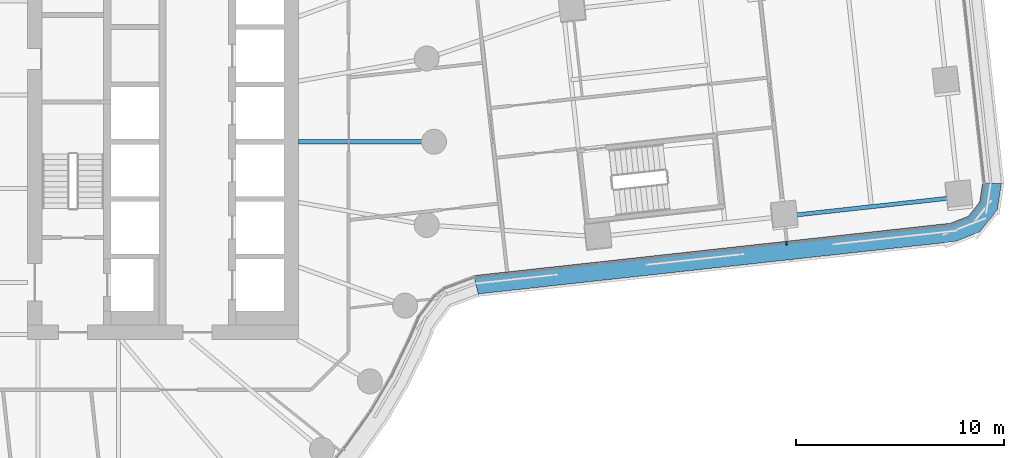
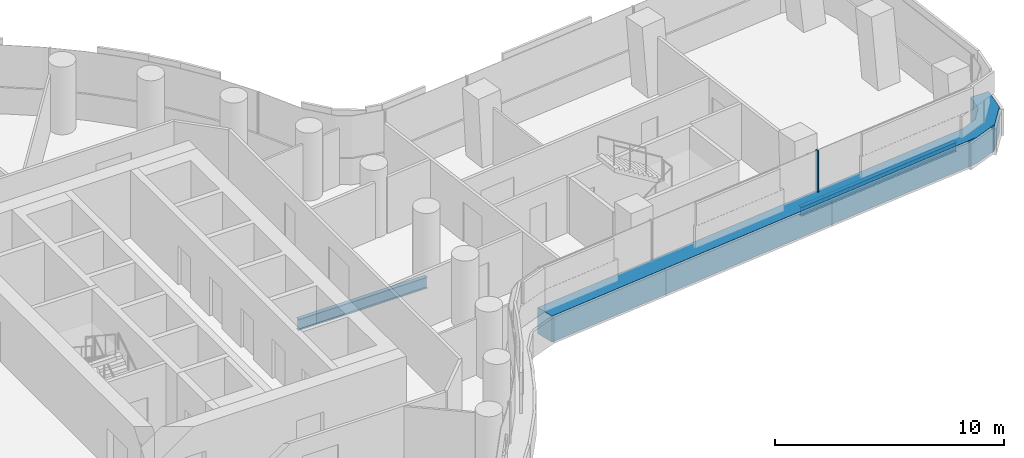
# One storey, part 10 of 31: 2 beams, 2 members, 1 element without a shape of its own.
"""IFC4 building model written with IfcOpenShell, lengths in metres."""

from ifc_helpers import new_model, si_unit, direction, frame, origin, origin_2d, place, context, subcontext, project, spatial, polyline, rectangle, i_section, outline, extrude, material, layer, layer_set, material_profile, profile_set, type_object, element, aggregate, save


model = new_model("IFC4")

# Units and contexts
model_context = context("Model", 3, precision=1e-05, world=origin(), true_north=direction((0.0, 1.0)))
body_context = subcontext(model_context, "Body", "Model", "MODEL_VIEW")
ifc_project = project(units=[si_unit("LENGTHUNIT", "METRE"), si_unit("AREAUNIT", "SQUARE_METRE"), si_unit("VOLUMEUNIT", "CUBIC_METRE"), si_unit("PLANEANGLEUNIT", "RADIAN"), si_unit("MASSUNIT", "GRAM", prefix="KILO")], contexts=[model_context])

# Site, building, storey
site_placement = place(None, origin())
site = spatial("IfcSite", under=ifc_project, at=site_placement, CompositionType="ELEMENT")
building_placement = place(site_placement, origin())
building = spatial("IfcBuilding", under=site, at=building_placement, Name="Tamarind Cross Interchange Tower", CompositionType="ELEMENT")
storey_placement = place(building_placement, frame((0.0, 0.0, 56.5)))
storey = spatial("IfcBuildingStorey", under=building, at=storey_placement, Name="L12", CompositionType="ELEMENT", Elevation=56.5)

# Beams
ifc_material_1 = material(Name="Steel Q355B", Category="steel")
ifc_material_profile_1 = material_profile(ifc_material_1, i_section(OverallWidth=0.198974609375, OverallDepth=0.49609375, WebThickness=0.009033203125, FlangeThickness=0.013916015625, FilletRadius=0.012939453125, at=origin_2d()), Name="HN 496x199x9x14")
ifc_profile_set_1 = profile_set([ifc_material_profile_1], Name="Steel Q355B")
beam_type_1 = type_object("IfcBeamType", Name="Composite beam HN 496x199x9x14 Q355B", PredefinedType="BEAM", material=ifc_profile_set_1)
beam_1_placement = place(storey_placement, frame((48.186279296875, -2.656494140625, -0.387939453125), z_axis=(-0.99401950058, -0.109202712726, 0.0), x_axis=(0.109202712726, -0.99401950058, 0.0)))
element("IfcBeam", 1, at=beam_1_placement, inside=storey, type_object=beam_type_1, Name="Beam E-edgeem5", PredefinedType="BEAM", context=body_context, shape_type="SweptSolid", body=[
    extrude(i_section(OverallWidth=0.198974609375, OverallDepth=0.49609375, WebThickness=0.009033203125, FlangeThickness=0.013916015625, FilletRadius=0.012939453125, at=origin_2d()), origin(), (0.0, 0.0, 1.0), 8.439697265625),
])
ifc_material_profile_2 = material_profile(ifc_material_1, i_section(OverallWidth=0.198974609375, OverallDepth=0.595947265625, WebThickness=0.010009765625, FlangeThickness=0.014892578125, FilletRadius=0.012939453125, at=origin_2d()), Name="HN 596x199x10x15")
ifc_profile_set_2 = profile_set([ifc_material_profile_2], Name="Steel Q355B")
beam_type_2 = type_object("IfcBeamType", Name="Composite beam HN 596x199x10x15 Q355B", PredefinedType="BEAM", material=ifc_profile_set_2)
beam_2_placement = place(storey_placement, frame((23.0, 0.0, -0.43798828125), z_axis=(-1.0, 0.0, 0.0), x_axis=(0.0, -1.0, 0.0)))
element("IfcBeam", 2, at=beam_2_placement, inside=storey, type_object=beam_type_2, Name="Beam HH00", PredefinedType="BEAM", context=body_context, shape_type="SweptSolid", body=[
    extrude(i_section(OverallWidth=0.198974609375, OverallDepth=0.595947265625, WebThickness=0.010009765625, FlangeThickness=0.014892578125, FilletRadius=0.012939453125, at=origin_2d()), origin(), (0.0, 0.0, 1.0), 6.5),
])

# Curtain wall, members
ifc_material_2 = material(Name="Aluminium 6063-T6", Category="aluminium")
ifc_layer = layer(ifc_material_2, 0.159912109375)
ifc_layer_set = layer_set([ifc_layer], Name="Aluminium 6063-T6")
curtain_wall_type = type_object("IfcCurtainWallType", Name="Office curtain wall, 9.0 m bays", PredefinedType="NOTDEFINED", material=ifc_layer_set)
curtain_wall_placement = place(storey_placement, origin())
curtain_wall = element("IfcCurtainWall", 3, at=curtain_wall_placement, inside=storey, type_object=curtain_wall_type, Name="CWS-L12-15", PredefinedType="NOTDEFINED")
ifc_material_3 = material(Name="Aluminium and insulated spandrel panel", Category="aluminium")
member_type_1 = type_object("IfcMemberType", Name="Floor-edge blade transom", PredefinedType="USERDEFINED", material=ifc_material_3)
member_1_placement = place(storey_placement, origin())
member_1 = element("IfcMember", 4, at=member_1_placement, type_object=member_type_1, Name="CWT-L12-15", ObjectType="TRANSOM", PredefinedType="USERDEFINED", context=body_context, shape_type="SweptSolid", body=[
    extrude(outline(polyline([(24.9091796875, -6.420654296875), (47.781005859375, -3.908203125), (48.634033203125, -3.576171875), (49.18115234375, -2.89404296875), (49.320068359375, -1.9892578125), (50.227783203125, -2.0087890625), (50.0341796875, -3.26904296875), (49.185302734375, -4.327392578125), (47.9970703125, -4.7900390625), (25.11865234375, -7.30322265625), (24.9091796875, -6.420654296875)])), origin(), (0.0, 0.0, 1.0), 1.39990234375),
])
ifc_material_profile_3 = material_profile(ifc_material_2, rectangle(XDim=0.06005859375, YDim=0.159912109375, at=origin_2d()), Name="Mullion CW1")
ifc_profile_set_3 = profile_set([ifc_material_profile_3], Name="Aluminium 6063-T6")
member_type_2 = type_object("IfcMemberType", Name="Mullion CW1", PredefinedType="MULLION", material=ifc_profile_set_3)
member_2_placement = place(storey_placement, frame((39.913330078125, -4.873046875, 1.39990234375), z_axis=(0.0, 0.0, 1.0), x_axis=(0.994020563105, 0.109193040639, 0.0)))
member_2 = element("IfcMember", 5, at=member_2_placement, type_object=member_type_2, Name="CWM-L12-15-02", PredefinedType="MULLION", context=body_context, shape_type="SweptSolid", body=[
    extrude(rectangle(XDim=0.06005859375, YDim=0.159912109375, at=origin_2d()), origin(), (0.0, 0.0, 1.0), 2.210205078125),
])
aggregate(curtain_wall, [member_2, member_1])

save(model, "model.ifc")
